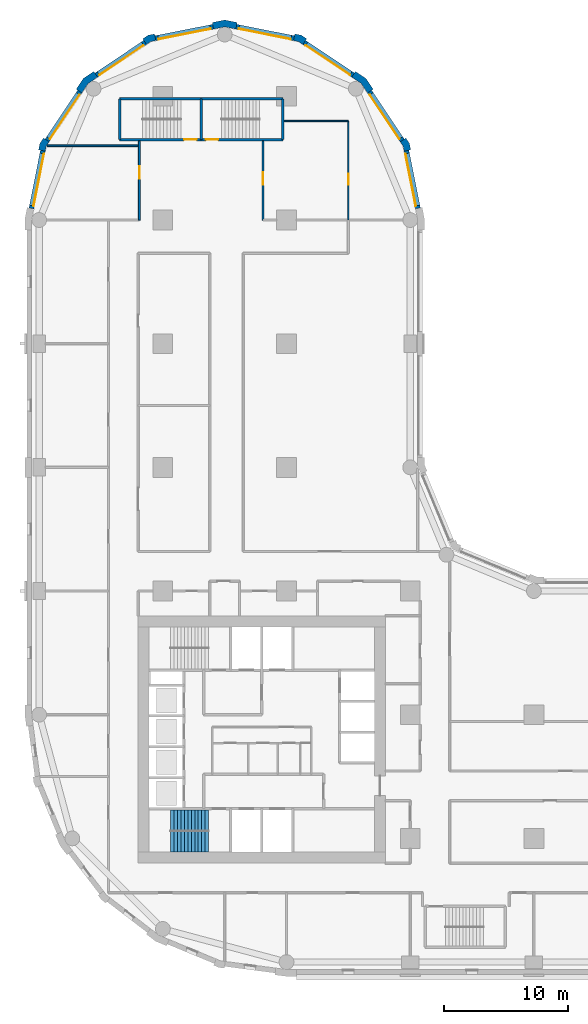
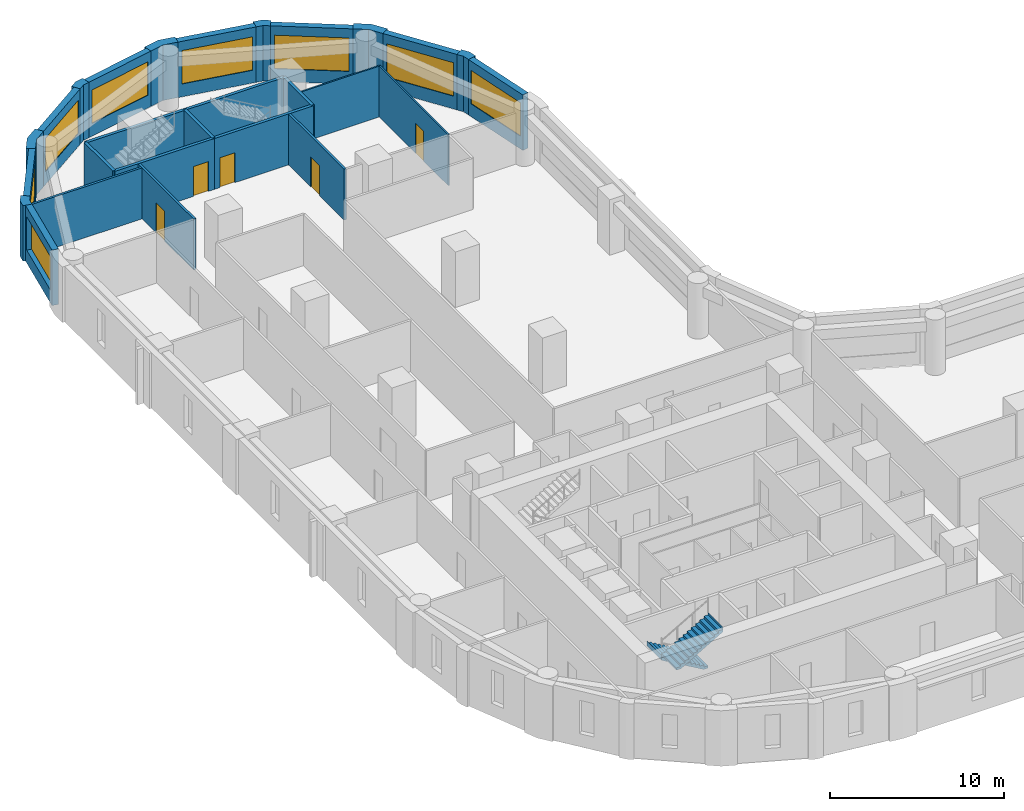
# One storey, part 8 of 11: 27 walls, 8 windows, 5 doors, 2 stair flights, 13 openings, 1 element without a shape of its own.
"""IFC4 building model written with IfcOpenShell, lengths in metres."""

from ifc_helpers import new_model, si_unit, direction, frame, frame_2d, origin, place, context, subcontext, project, spatial, polyline, rectangle, outline, extrude, material, layer, layer_set, type_object, element, fill, aggregate, save


model = new_model("IFC4")

# Units and contexts
model_context = context("Model", 3, precision=1e-05, world=origin(), true_north=direction((0.0, 1.0)))
body_context = subcontext(model_context, "Body", "Model", "MODEL_VIEW")
ifc_project = project(units=[si_unit("LENGTHUNIT", "METRE"), si_unit("AREAUNIT", "SQUARE_METRE"), si_unit("VOLUMEUNIT", "CUBIC_METRE"), si_unit("PLANEANGLEUNIT", "RADIAN"), si_unit("MASSUNIT", "GRAM", prefix="KILO")], contexts=[model_context])

# Site, building, storey
site_placement = place(None, origin())
site = spatial("IfcSite", under=ifc_project, at=site_placement, CompositionType="ELEMENT")
building_placement = place(site_placement, origin())
building = spatial("IfcBuilding", under=site, at=building_placement, Name="Qaws Garden Tower", CompositionType="ELEMENT")
storey_placement = place(building_placement, frame((0.0, 0.0, 31.5)))
storey = spatial("IfcBuildingStorey", under=building, at=storey_placement, Name="L07", CompositionType="ELEMENT", Elevation=31.5)

# Wall, opening, window
ifc_material_1 = material(Name="Clay facing brick masonry", Category="masonry")
ifc_layer_1 = layer(ifc_material_1, 0.39990234375)
ifc_layer_set_1 = layer_set([ifc_layer_1], Name="Clay facing brick masonry")
wall_type_1 = type_object("IfcWallType", Name="Brick infill wall 400", PredefinedType="SOLIDWALL", material=ifc_layer_set_1)
wall_1_placement = place(storey_placement, frame((30.628662109375, 60.940673828125, 0.0), z_axis=(0.0, 0.0, 1.0), x_axis=(-0.195098533057, 0.98078364709, 0.0)))
wall_1 = element("IfcWall", 1, at=wall_1_placement, inside=storey, type_object=wall_type_1, Name="E-L07-infill-15", PredefinedType="SOLIDWALL", context=body_context, shape_type="SweptSolid", body=[
    extrude(rectangle(XDim=4.752685546875, YDim=0.39990234375, at=frame_2d((2.37646484375, 0.0))), origin(), (0.0, 0.0, 1.0), 3.89990234375),
])
opening_1_placement = place(wall_1_placement, frame((0.226318359375, 0.0, 0.89990234375)))
opening_1 = element("IfcOpeningElement", 2, at=opening_1_placement, cuts=wall_1, Name="Opening W06", PredefinedType="OPENING", context=body_context, shape_type="SweptSolid", body=[
    extrude(rectangle(XDim=4.300048828125, YDim=2.35009765625, at=frame_2d((2.14990234375, 1.175048828125))), frame((0.0, 0.2099609375, 0.0), z_axis=(0.0, -1.0, 0.0), x_axis=(1.0, 0.0, 0.0)), (0.0, 0.0, 1.0), 0.419921875),
])
ifc_material_2 = material(Name="Aluminium framed window, clear glazing", Category="aluminium")
window_type = type_object("IfcWindowType", Name="Ribbon window 4300 x 2350", PartitioningType="DOUBLE_PANEL_VERTICAL", PredefinedType="WINDOW", material=ifc_material_2)
window_1_placement = place(opening_1_placement, origin())
window_1 = element("IfcWindow", 3, at=window_1_placement, inside=storey, type_object=window_type, Name="E-L07-window-15-0", OverallHeight=2.35009765625, OverallWidth=4.300048828125, PartitioningType="SINGLE_PANEL", PredefinedType="WINDOW", context=body_context, shape_type="SweptSolid", body=[
    extrude(rectangle(XDim=4.300048828125, YDim=2.35009765625, at=frame_2d((2.14990234375, 1.175048828125))), frame((0.0, 0.159912109375, 0.0), z_axis=(0.0, -1.0, 0.0), x_axis=(1.0, 0.0, 0.0)), (0.0, 0.0, 1.0), 0.06005859375),
])
fill(opening_1, window_1)

wall_2_placement = place(storey_placement, frame((29.356689453125, 66.43408203125, 0.0), z_axis=(0.0, 0.0, 1.0), x_axis=(-0.555541552266, 0.831488775454, 0.0)))
wall_2 = element("IfcWall", 4, at=wall_2_placement, inside=storey, type_object=wall_type_1, Name="E-L07-infill-16", PredefinedType="SOLIDWALL", context=body_context, shape_type="SweptSolid", body=[
    extrude(rectangle(XDim=4.752685546875, YDim=0.39990234375, at=frame_2d((2.37646484375, 0.0))), origin(), (0.0, 0.0, 1.0), 3.89990234375),
])
opening_2_placement = place(wall_2_placement, frame((0.226318359375, 0.0, 0.89990234375)))
opening_2 = element("IfcOpeningElement", 5, at=opening_2_placement, cuts=wall_2, Name="Opening W06", PredefinedType="OPENING", context=body_context, shape_type="SweptSolid", body=[
    extrude(rectangle(XDim=4.300048828125, YDim=2.35009765625, at=frame_2d((2.14990234375, 1.175048828125))), frame((0.0, 0.2099609375, 0.0), z_axis=(0.0, -1.0, 0.0), x_axis=(1.0, 0.0, 0.0)), (0.0, 0.0, 1.0), 0.419921875),
])
window_2_placement = place(opening_2_placement, origin())
window_2 = element("IfcWindow", 6, at=window_2_placement, inside=storey, type_object=window_type, Name="E-L07-window-16-0", OverallHeight=2.35009765625, OverallWidth=4.300048828125, PartitioningType="SINGLE_PANEL", PredefinedType="WINDOW", context=body_context, shape_type="SweptSolid", body=[
    extrude(rectangle(XDim=4.300048828125, YDim=2.35009765625, at=frame_2d((2.14990234375, 1.175048828125))), frame((0.0, 0.159912109375, 0.0), z_axis=(0.0, -1.0, 0.0), x_axis=(1.0, 0.0, 0.0)), (0.0, 0.0, 1.0), 0.06005859375),
])
fill(opening_2, window_2)

wall_3_placement = place(storey_placement, frame((25.385986328125, 71.71630859375, 0.0), z_axis=(0.0, 0.0, 1.0), x_axis=(-0.831488775454, 0.555541552266, 0.0)))
wall_3 = element("IfcWall", 7, at=wall_3_placement, inside=storey, type_object=wall_type_1, Name="E-L07-infill-17", PredefinedType="SOLIDWALL", context=body_context, shape_type="SweptSolid", body=[
    extrude(rectangle(XDim=4.752685546875, YDim=0.39990234375, at=frame_2d((2.37646484375, 0.0))), origin(), (0.0, 0.0, 1.0), 3.89990234375),
])
opening_3_placement = place(wall_3_placement, frame((0.226318359375, 0.0, 0.89990234375)))
opening_3 = element("IfcOpeningElement", 8, at=opening_3_placement, cuts=wall_3, Name="Opening W06", PredefinedType="OPENING", context=body_context, shape_type="SweptSolid", body=[
    extrude(rectangle(XDim=4.300048828125, YDim=2.35009765625, at=frame_2d((2.14990234375, 1.175048828125))), frame((0.0, 0.2099609375, 0.0), z_axis=(0.0, -1.0, 0.0), x_axis=(1.0, 0.0, 0.0)), (0.0, 0.0, 1.0), 0.419921875),
])
window_3_placement = place(opening_3_placement, origin())
window_3 = element("IfcWindow", 9, at=window_3_placement, inside=storey, type_object=window_type, Name="E-L07-window-17-0", OverallHeight=2.35009765625, OverallWidth=4.300048828125, PartitioningType="SINGLE_PANEL", PredefinedType="WINDOW", context=body_context, shape_type="SweptSolid", body=[
    extrude(rectangle(XDim=4.300048828125, YDim=2.35009765625, at=frame_2d((2.14990234375, 1.175048828125))), frame((0.0, 0.159912109375, 0.0), z_axis=(0.0, -1.0, 0.0), x_axis=(1.0, 0.0, 0.0)), (0.0, 0.0, 1.0), 0.06005859375),
])
fill(opening_3, window_3)

wall_4_placement = place(storey_placement, frame((20.60205078125, 74.701416015625, 0.0), z_axis=(0.0, 0.0, 1.0), x_axis=(-0.98078364709, 0.195098533057, 0.0)))
wall_4 = element("IfcWall", 10, at=wall_4_placement, inside=storey, type_object=wall_type_1, Name="E-L07-infill-18", PredefinedType="SOLIDWALL", context=body_context, shape_type="SweptSolid", body=[
    extrude(rectangle(XDim=4.752685546875, YDim=0.39990234375, at=frame_2d((2.37646484375, 0.0))), origin(), (0.0, 0.0, 1.0), 3.89990234375),
])
opening_4_placement = place(wall_4_placement, frame((0.226318359375, 0.0, 0.89990234375)))
opening_4 = element("IfcOpeningElement", 11, at=opening_4_placement, cuts=wall_4, Name="Opening W06", PredefinedType="OPENING", context=body_context, shape_type="SweptSolid", body=[
    extrude(rectangle(XDim=4.300048828125, YDim=2.35009765625, at=frame_2d((2.14990234375, 1.175048828125))), frame((0.0, 0.2099609375, 0.0), z_axis=(0.0, -1.0, 0.0), x_axis=(1.0, 0.0, 0.0)), (0.0, 0.0, 1.0), 0.419921875),
])
window_4_placement = place(opening_4_placement, origin())
window_4 = element("IfcWindow", 12, at=window_4_placement, inside=storey, type_object=window_type, Name="E-L07-window-18-0", OverallHeight=2.35009765625, OverallWidth=4.300048828125, PartitioningType="SINGLE_PANEL", PredefinedType="WINDOW", context=body_context, shape_type="SweptSolid", body=[
    extrude(rectangle(XDim=4.300048828125, YDim=2.35009765625, at=frame_2d((2.14990234375, 1.175048828125))), frame((0.0, 0.159912109375, 0.0), z_axis=(0.0, -1.0, 0.0), x_axis=(1.0, 0.0, 0.0)), (0.0, 0.0, 1.0), 0.06005859375),
])
fill(opening_4, window_4)

wall_5_placement = place(storey_placement, frame((14.059326171875, 75.628662109375, 0.0), z_axis=(0.0, 0.0, 1.0), x_axis=(-0.98078364709, -0.195098533057, 0.0)))
wall_5 = element("IfcWall", 13, at=wall_5_placement, inside=storey, type_object=wall_type_1, Name="E-L07-infill-19", PredefinedType="SOLIDWALL", context=body_context, shape_type="SweptSolid", body=[
    extrude(rectangle(XDim=4.752685546875, YDim=0.39990234375, at=frame_2d((2.37646484375, 0.0))), origin(), (0.0, 0.0, 1.0), 3.89990234375),
])
opening_5_placement = place(wall_5_placement, frame((0.226318359375, 0.0, 0.89990234375)))
opening_5 = element("IfcOpeningElement", 14, at=opening_5_placement, cuts=wall_5, Name="Opening W06", PredefinedType="OPENING", context=body_context, shape_type="SweptSolid", body=[
    extrude(rectangle(XDim=4.300048828125, YDim=2.35009765625, at=frame_2d((2.14990234375, 1.175048828125))), frame((0.0, 0.2099609375, 0.0), z_axis=(0.0, -1.0, 0.0), x_axis=(1.0, 0.0, 0.0)), (0.0, 0.0, 1.0), 0.419921875),
])
window_5_placement = place(opening_5_placement, origin())
window_5 = element("IfcWindow", 15, at=window_5_placement, inside=storey, type_object=window_type, Name="E-L07-window-19-0", OverallHeight=2.35009765625, OverallWidth=4.300048828125, PartitioningType="SINGLE_PANEL", PredefinedType="WINDOW", context=body_context, shape_type="SweptSolid", body=[
    extrude(rectangle(XDim=4.300048828125, YDim=2.35009765625, at=frame_2d((2.14990234375, 1.175048828125))), frame((0.0, 0.159912109375, 0.0), z_axis=(0.0, -1.0, 0.0), x_axis=(1.0, 0.0, 0.0)), (0.0, 0.0, 1.0), 0.06005859375),
])
fill(opening_5, window_5)

wall_6_placement = place(storey_placement, frame((8.56591796875, 74.356689453125, 0.0), z_axis=(0.0, 0.0, 1.0), x_axis=(-0.831488775454, -0.555541552266, 0.0)))
wall_6 = element("IfcWall", 16, at=wall_6_placement, inside=storey, type_object=wall_type_1, Name="E-L07-infill-20", PredefinedType="SOLIDWALL", context=body_context, shape_type="SweptSolid", body=[
    extrude(rectangle(XDim=4.752685546875, YDim=0.39990234375, at=frame_2d((2.37646484375, 0.0))), origin(), (0.0, 0.0, 1.0), 3.89990234375),
])
opening_6_placement = place(wall_6_placement, frame((0.226318359375, 0.0, 0.89990234375)))
opening_6 = element("IfcOpeningElement", 17, at=opening_6_placement, cuts=wall_6, Name="Opening W06", PredefinedType="OPENING", context=body_context, shape_type="SweptSolid", body=[
    extrude(rectangle(XDim=4.300048828125, YDim=2.35009765625, at=frame_2d((2.14990234375, 1.175048828125))), frame((0.0, 0.2099609375, 0.0), z_axis=(0.0, -1.0, 0.0), x_axis=(1.0, 0.0, 0.0)), (0.0, 0.0, 1.0), 0.419921875),
])
window_6_placement = place(opening_6_placement, origin())
window_6 = element("IfcWindow", 18, at=window_6_placement, inside=storey, type_object=window_type, Name="E-L07-window-20-0", OverallHeight=2.35009765625, OverallWidth=4.300048828125, PartitioningType="SINGLE_PANEL", PredefinedType="WINDOW", context=body_context, shape_type="SweptSolid", body=[
    extrude(rectangle(XDim=4.300048828125, YDim=2.35009765625, at=frame_2d((2.14990234375, 1.175048828125))), frame((0.0, 0.159912109375, 0.0), z_axis=(0.0, -1.0, 0.0), x_axis=(1.0, 0.0, 0.0)), (0.0, 0.0, 1.0), 0.06005859375),
])
fill(opening_6, window_6)

wall_7_placement = place(storey_placement, frame((3.28369140625, 70.385986328125, 0.0), z_axis=(0.0, 0.0, 1.0), x_axis=(-0.555541552266, -0.831488775454, 0.0)))
wall_7 = element("IfcWall", 19, at=wall_7_placement, inside=storey, type_object=wall_type_1, Name="E-L07-infill-21", PredefinedType="SOLIDWALL", context=body_context, shape_type="SweptSolid", body=[
    extrude(rectangle(XDim=4.752685546875, YDim=0.39990234375, at=frame_2d((2.37646484375, 0.0))), origin(), (0.0, 0.0, 1.0), 3.89990234375),
])
opening_7_placement = place(wall_7_placement, frame((0.226318359375, 0.0, 0.89990234375)))
opening_7 = element("IfcOpeningElement", 20, at=opening_7_placement, cuts=wall_7, Name="Opening W06", PredefinedType="OPENING", context=body_context, shape_type="SweptSolid", body=[
    extrude(rectangle(XDim=4.300048828125, YDim=2.35009765625, at=frame_2d((2.14990234375, 1.175048828125))), frame((0.0, 0.2099609375, 0.0), z_axis=(0.0, -1.0, 0.0), x_axis=(1.0, 0.0, 0.0)), (0.0, 0.0, 1.0), 0.419921875),
])
window_7_placement = place(opening_7_placement, origin())
window_7 = element("IfcWindow", 21, at=window_7_placement, inside=storey, type_object=window_type, Name="E-L07-window-21-0", OverallHeight=2.35009765625, OverallWidth=4.300048828125, PartitioningType="SINGLE_PANEL", PredefinedType="WINDOW", context=body_context, shape_type="SweptSolid", body=[
    extrude(rectangle(XDim=4.300048828125, YDim=2.35009765625, at=frame_2d((2.14990234375, 1.175048828125))), frame((0.0, 0.159912109375, 0.0), z_axis=(0.0, -1.0, 0.0), x_axis=(1.0, 0.0, 0.0)), (0.0, 0.0, 1.0), 0.06005859375),
])
fill(opening_7, window_7)

wall_8_placement = place(storey_placement, frame((0.298583984375, 65.60205078125, 0.0), z_axis=(0.0, 0.0, 1.0), x_axis=(-0.195098533057, -0.98078364709, 0.0)))
wall_8 = element("IfcWall", 22, at=wall_8_placement, inside=storey, type_object=wall_type_1, Name="E-L07-infill-22", PredefinedType="SOLIDWALL", context=body_context, shape_type="SweptSolid", body=[
    extrude(rectangle(XDim=4.752685546875, YDim=0.39990234375, at=frame_2d((2.37646484375, 0.0))), origin(), (0.0, 0.0, 1.0), 3.89990234375),
])
opening_8_placement = place(wall_8_placement, frame((0.226318359375, 0.0, 0.89990234375)))
opening_8 = element("IfcOpeningElement", 23, at=opening_8_placement, cuts=wall_8, Name="Opening W06", PredefinedType="OPENING", context=body_context, shape_type="SweptSolid", body=[
    extrude(rectangle(XDim=4.300048828125, YDim=2.35009765625, at=frame_2d((2.14990234375, 1.175048828125))), frame((0.0, 0.2099609375, 0.0), z_axis=(0.0, -1.0, 0.0), x_axis=(1.0, 0.0, 0.0)), (0.0, 0.0, 1.0), 0.419921875),
])
window_8_placement = place(opening_8_placement, origin())
window_8 = element("IfcWindow", 24, at=window_8_placement, inside=storey, type_object=window_type, Name="E-L07-window-22-0", OverallHeight=2.35009765625, OverallWidth=4.300048828125, PartitioningType="SINGLE_PANEL", PredefinedType="WINDOW", context=body_context, shape_type="SweptSolid", body=[
    extrude(rectangle(XDim=4.300048828125, YDim=2.35009765625, at=frame_2d((2.14990234375, 1.175048828125))), frame((0.0, 0.159912109375, 0.0), z_axis=(0.0, -1.0, 0.0), x_axis=(1.0, 0.0, 0.0)), (0.0, 0.0, 1.0), 0.06005859375),
])
fill(opening_8, window_8)

# Walls
ifc_material_3 = material(Name="Clay facing brick masonry", Category="masonry")
ifc_layer_2 = layer(ifc_material_3, 0.550048828125)
ifc_layer_set_2 = layer_set([ifc_layer_2], Name="Clay facing brick masonry")
wall_type_2 = type_object("IfcWallType", Name="Brick kink pier 550 x 600", PredefinedType="SOLIDWALL", material=ifc_layer_set_2)
placement = place(storey_placement, origin())
element("IfcWall", 25, at=placement, inside=storey, type_object=wall_type_2, Name="E-L07-pier-16", PredefinedType="SOLIDWALL", context=body_context, shape_type="SweptSolid", body=[
    extrude(outline(polyline([(29.8974609375, 65.64111328125), (30.044677734375, 65.67041015625), (29.94140625, 66.18896484375), (29.647705078125, 66.628662109375), (29.52294921875, 66.545166015625), (29.1904296875, 66.322998046875), (29.42333984375, 65.974365234375), (29.505126953125, 65.56298828125), (29.8974609375, 65.64111328125)])), origin(), (0.0, 0.0, 1.0), 3.89990234375),
])
element("IfcWall", 26, at=placement, inside=storey, type_object=wall_type_2, Name="E-L07-pier-18", PredefinedType="SOLIDWALL", context=body_context, shape_type="SweptSolid", body=[
    extrude(outline(polyline([(21.545166015625, 74.52294921875), (21.628662109375, 74.647705078125), (21.18896484375, 74.94140625), (20.67041015625, 75.044677734375), (20.64111328125, 74.8974609375), (20.56298828125, 74.505126953125), (20.974365234375, 74.42333984375), (21.322998046875, 74.1904296875), (21.545166015625, 74.52294921875)])), origin(), (0.0, 0.0, 1.0), 3.89990234375),
])
element("IfcWall", 27, at=placement, inside=storey, type_object=wall_type_2, Name="E-L07-pier-20", PredefinedType="SOLIDWALL", context=body_context, shape_type="SweptSolid", body=[
    extrude(outline(polyline([(9.35888671875, 74.8974609375), (9.32958984375, 75.044677734375), (8.81103515625, 74.94140625), (8.371337890625, 74.647705078125), (8.454833984375, 74.52294921875), (8.677001953125, 74.1904296875), (9.025634765625, 74.42333984375), (9.43701171875, 74.505126953125), (9.35888671875, 74.8974609375)])), origin(), (0.0, 0.0, 1.0), 3.89990234375),
])
element("IfcWall", 28, at=placement, inside=storey, type_object=wall_type_2, Name="E-L07-pier-22", PredefinedType="SOLIDWALL", context=body_context, shape_type="SweptSolid", body=[
    extrude(outline(polyline([(0.47705078125, 66.545166015625), (0.352294921875, 66.628662109375), (0.05859375, 66.18896484375), (-0.044677734375, 65.67041015625), (0.1025390625, 65.64111328125), (0.494873046875, 65.56298828125), (0.57666015625, 65.974365234375), (0.8095703125, 66.322998046875), (0.47705078125, 66.545166015625)])), origin(), (0.0, 0.0, 1.0), 3.89990234375),
])
ifc_material_4 = material(Name="Clay facing brick masonry", Category="masonry")
ifc_layer_3 = layer(ifc_material_4, 0.550048828125)
ifc_layer_set_3 = layer_set([ifc_layer_3], Name="Clay facing brick masonry")
wall_type_3 = type_object("IfcWallType", Name="Brick pier 550 x 1600", PredefinedType="SOLIDWALL", material=ifc_layer_set_3)
element("IfcWall", 29, at=placement, inside=storey, type_object=wall_type_3, Name="E-L07-pier-17", PredefinedType="SOLIDWALL", context=body_context, shape_type="SweptSolid", body=[
    extrude(outline(polyline([(26.882568359375, 70.4970703125), (27.00732421875, 70.580322265625), (26.435791015625, 71.435791015625), (25.580322265625, 72.00732421875), (25.4970703125, 71.882568359375), (25.274658203125, 71.550048828125), (26.0390625, 71.0390625), (26.550048828125, 70.274658203125), (26.882568359375, 70.4970703125)])), origin(), (0.0, 0.0, 1.0), 3.89990234375),
])
element("IfcWall", 30, at=placement, inside=storey, type_object=wall_type_3, Name="E-L07-pier-19", PredefinedType="SOLIDWALL", context=body_context, shape_type="SweptSolid", body=[
    extrude(outline(polyline([(15.979736328125, 75.82470703125), (16.009033203125, 75.971923828125), (15.0, 76.172607421875), (13.990966796875, 75.971923828125), (14.020263671875, 75.82470703125), (14.098388671875, 75.432373046875), (15.0, 75.61181640625), (15.901611328125, 75.432373046875), (15.979736328125, 75.82470703125)])), origin(), (0.0, 0.0, 1.0), 3.89990234375),
])
element("IfcWall", 31, at=placement, inside=storey, type_object=wall_type_3, Name="E-L07-pier-21", PredefinedType="SOLIDWALL", context=body_context, shape_type="SweptSolid", body=[
    extrude(outline(polyline([(4.5029296875, 71.882568359375), (4.419677734375, 72.00732421875), (3.564208984375, 71.435791015625), (2.99267578125, 70.580322265625), (3.117431640625, 70.4970703125), (3.449951171875, 70.274658203125), (3.9609375, 71.0390625), (4.725341796875, 71.550048828125), (4.5029296875, 71.882568359375)])), origin(), (0.0, 0.0, 1.0), 3.89990234375),
])

# Wall, opening, door
ifc_material_5 = material(Name="Concrete C80", Category="concrete")
ifc_layer_4 = layer(ifc_material_5, 0.199951171875)
ifc_layer_set_4 = layer_set([ifc_layer_4], Name="Concrete C80")
wall_type_4 = type_object("IfcWallType", Name="Core shaft wall 200 C80", PredefinedType="SHEAR", material=ifc_layer_set_4)
wall_16_placement = place(storey_placement, frame((6.5, 66.5, 0.0), z_axis=(0.0, 0.0, 1.0), x_axis=(1.0, 0.0, 0.0)))
wall_16 = element("IfcWall", 32, at=wall_16_placement, inside=storey, type_object=wall_type_4, Name="Shaft wall", PredefinedType="SHEAR", context=body_context, shape_type="SweptSolid", body=[
    extrude(rectangle(XDim=6.60009765625, YDim=0.199951171875, at=frame_2d((3.300048828125, 0.0))), origin(), (0.0, 0.0, 1.0), 3.580078125),
])
opening_9_placement = place(wall_16_placement, frame((5.22509765625, 0.0, 0.0)))
opening_9 = element("IfcOpeningElement", 33, at=opening_9_placement, cuts=wall_16, Name="Opening SD13", PredefinedType="OPENING", context=body_context, shape_type="SweptSolid", body=[
    extrude(rectangle(XDim=1.0, YDim=2.10009765625, at=frame_2d((0.5, 1.050048828125))), frame((0.0, 0.10986328125, 0.0), z_axis=(0.0, -1.0, 0.0), x_axis=(1.0, 0.0, 0.0)), (0.0, 0.0, 1.0), 0.219970703125),
])
ifc_material_6 = material(Name="Steel S235", Category="steel")
door_type_1 = type_object("IfcDoorType", Name="Stair door 1000x2100", OperationType="SINGLE_SWING_RIGHT", PredefinedType="DOOR", material=ifc_material_6)
door_1_placement = place(opening_9_placement, origin())
door_1 = element("IfcDoor", 34, at=door_1_placement, inside=storey, type_object=door_type_1, Name="Stair 6 door", OperationType="SINGLE_SWING_RIGHT", OverallHeight=2.10009765625, OverallWidth=1.0, PredefinedType="DOOR", context=body_context, shape_type="SweptSolid", body=[
    extrude(rectangle(XDim=1.0, YDim=2.10009765625, at=frame_2d((0.5, 1.050048828125))), frame((0.0, 0.02490234375, 0.0), z_axis=(0.0, -1.0, 0.0), x_axis=(1.0, 0.0, 0.0)), (0.0, 0.0, 1.0), 0.050048828125),
])
fill(opening_9, door_1)

wall_17_placement = place(storey_placement, frame((13.10009765625, 66.5, 0.0), z_axis=(0.0, 0.0, 1.0), x_axis=(1.0, 0.0, 0.0)))
wall_17 = element("IfcWall", 35, at=wall_17_placement, inside=storey, type_object=wall_type_4, Name="Shaft wall", PredefinedType="SHEAR", context=body_context, shape_type="SweptSolid", body=[
    extrude(rectangle(XDim=6.599853515625, YDim=0.199951171875, at=frame_2d((3.2998046875, 0.0))), origin(), (0.0, 0.0, 1.0), 3.580078125),
])
opening_10_placement = place(wall_17_placement, frame((0.375, 0.0, 0.0)))
opening_10 = element("IfcOpeningElement", 36, at=opening_10_placement, cuts=wall_17, Name="Opening SD14", PredefinedType="OPENING", context=body_context, shape_type="SweptSolid", body=[
    extrude(rectangle(XDim=1.0, YDim=2.10009765625, at=frame_2d((0.5, 1.050048828125))), frame((0.0, 0.10986328125, 0.0), z_axis=(0.0, -1.0, 0.0), x_axis=(1.0, 0.0, 0.0)), (0.0, 0.0, 1.0), 0.219970703125),
])
door_2_placement = place(opening_10_placement, origin())
door_2 = element("IfcDoor", 37, at=door_2_placement, inside=storey, type_object=door_type_1, Name="Stair 7 door", OperationType="SINGLE_SWING_LEFT", OverallHeight=2.10009765625, OverallWidth=1.0, PredefinedType="DOOR", context=body_context, shape_type="SweptSolid", body=[
    extrude(rectangle(XDim=1.0, YDim=2.10009765625, at=frame_2d((0.5, 1.050048828125))), frame((0.0, 0.02490234375, 0.0), z_axis=(0.0, -1.0, 0.0), x_axis=(1.0, 0.0, 0.0)), (0.0, 0.0, 1.0), 0.050048828125),
])
fill(opening_10, door_2)

# Walls
wall_18_placement = place(storey_placement, frame((6.5, 69.800048828125, 0.0), z_axis=(0.0, 0.0, 1.0), x_axis=(1.0, 0.0, 0.0)))
element("IfcWall", 38, at=wall_18_placement, inside=storey, type_object=wall_type_4, Name="Shaft wall", PredefinedType="SHEAR", context=body_context, shape_type="SweptSolid", body=[
    extrude(rectangle(XDim=6.60009765625, YDim=0.199951171875, at=frame_2d((3.300048828125, 0.0))), origin(), (0.0, 0.0, 1.0), 3.580078125),
])
wall_19_placement = place(storey_placement, frame((13.10009765625, 69.800048828125, 0.0), z_axis=(0.0, 0.0, 1.0), x_axis=(1.0, 0.0, 0.0)))
element("IfcWall", 39, at=wall_19_placement, inside=storey, type_object=wall_type_4, Name="Shaft wall", PredefinedType="SHEAR", context=body_context, shape_type="SweptSolid", body=[
    extrude(rectangle(XDim=6.599853515625, YDim=0.199951171875, at=frame_2d((3.2998046875, 0.0))), origin(), (0.0, 0.0, 1.0), 3.580078125),
])
for number, where, z_axis, x_axis, name in (
    (40, (6.5, 66.5, 0.0), (0.0, 0.0, 1.0), (0.0, 1.0, 0.0), "Shaft wall"),
    (41, (13.10009765625, 66.5, 0.0), (0.0, 0.0, 1.0), (0.0, 1.0, 0.0), "Shaft wall"),
    (42, (19.699951171875, 66.5, 0.0), (0.0, 0.0, 1.0), (0.0, 1.0, 0.0), "Shaft wall"),
):
    element("IfcWall", number, at=place(storey_placement, frame(where, z_axis=z_axis, x_axis=x_axis)), inside=storey, type_object=wall_type_4, Name=name, PredefinedType="SHEAR", context=body_context, shape_type="SweptSolid", body=[
        extrude(rectangle(XDim=3.300048828125, YDim=0.199951171875, at=frame_2d((1.64990234375, 0.0))), origin(), (0.0, 0.0, 1.0), 3.580078125),
    ])

# Wall, opening, door
ifc_material_7 = material(Name="Gypsum board partition")
ifc_layer_5 = layer(ifc_material_7, 0.10009765625)
ifc_layer_set_5 = layer_set([ifc_layer_5], Name="Gypsum board partition")
wall_type_5 = type_object("IfcWallType", Name="PARTITION 100", PredefinedType="PARTITIONING", material=ifc_layer_set_5)
wall_20_placement = place(storey_placement, frame((25.0, 60.0, 0.0), z_axis=(0.0, 0.0, 1.0), x_axis=(0.0, 1.0, 0.0)))
wall_20 = element("IfcWall", 43, at=wall_20_placement, inside=storey, type_object=wall_type_5, Name="O-L07-wall-001", PredefinedType="PARTITIONING", context=body_context, shape_type="SweptSolid", body=[
    extrude(rectangle(XDim=8.0, YDim=0.10009765625, at=frame_2d((4.0, 0.0))), origin(), (0.0, 0.0, 1.0), 3.580078125),
])
opening_11_placement = place(wall_20_placement, frame((2.85009765625, 0.0, 0.0)))
opening_11 = element("IfcOpeningElement", 44, at=opening_11_placement, cuts=wall_20, Name="Opening A231", PredefinedType="OPENING", context=body_context, shape_type="SweptSolid", body=[
    extrude(rectangle(XDim=0.89990234375, YDim=2.10009765625, at=frame_2d((0.449951171875, 1.050048828125))), frame((0.0, 0.06005859375, 0.0), z_axis=(0.0, -1.0, 0.0), x_axis=(1.0, 0.0, 0.0)), (0.0, 0.0, 1.0), 0.1201171875),
])
ifc_material_8 = material(Name="Timber door leaf", Category="wood")
door_type_2 = type_object("IfcDoorType", Name="OFFICE DOOR 900 X 2100", OperationType="SINGLE_SWING_LEFT", PredefinedType="DOOR", material=ifc_material_8)
door_3_placement = place(opening_11_placement, origin())
door_3 = element("IfcDoor", 45, at=door_3_placement, inside=storey, type_object=door_type_2, Name="O-L07-door-031", OperationType="SINGLE_SWING_LEFT", OverallHeight=2.10009765625, OverallWidth=0.89990234375, PredefinedType="DOOR", context=body_context, shape_type="SweptSolid", body=[
    extrude(rectangle(XDim=0.89990234375, YDim=2.10009765625, at=frame_2d((0.449951171875, 1.050048828125))), frame((0.0, 0.02490234375, 0.0), z_axis=(0.0, -1.0, 0.0), x_axis=(1.0, 0.0, 0.0)), (0.0, 0.0, 1.0), 0.050048828125),
])
fill(opening_11, door_3)

# Wall
wall_21_placement = place(storey_placement, frame((19.800048828125, 68.0, 0.0), z_axis=(0.0, 0.0, 1.0), x_axis=(1.0, 0.0, 0.0)))
element("IfcWall", 46, at=wall_21_placement, inside=storey, type_object=wall_type_5, Name="O-L07-wall-004", PredefinedType="PARTITIONING", context=body_context, shape_type="SweptSolid", body=[
    extrude(rectangle(XDim=5.199951171875, YDim=0.10009765625, at=frame_2d((2.60009765625, 0.0))), origin(), (0.0, 0.0, 1.0), 3.580078125),
])

# Wall, opening, door
ifc_material_9 = material(Name="Gypsum board partition")
ifc_layer_6 = layer(ifc_material_9, 0.14990234375)
ifc_layer_set_6 = layer_set([ifc_layer_6], Name="Gypsum board partition")
wall_type_6 = type_object("IfcWallType", Name="PARTITION 150 EI 60", PredefinedType="PARTITIONING", material=ifc_layer_set_6)
wall_22_placement = place(storey_placement, frame((8.10009765625, 60.0, 0.0), z_axis=(0.0, 0.0, 1.0), x_axis=(0.0, 1.0, 0.0)))
wall_22 = element("IfcWall", 47, at=wall_22_placement, inside=storey, type_object=wall_type_6, Name="O-L07-wall-008", PredefinedType="PARTITIONING", context=body_context, shape_type="SweptSolid", body=[
    extrude(rectangle(XDim=6.39990234375, YDim=0.14990234375, at=frame_2d((3.199951171875, 0.0))), origin(), (0.0, 0.0, 1.0), 3.580078125),
])
opening_12_placement = place(wall_22_placement, frame((3.35009765625, 0.0, 0.0)))
opening_12 = element("IfcOpeningElement", 48, at=opening_12_placement, cuts=wall_22, Name="Opening A220", PredefinedType="OPENING", context=body_context, shape_type="SweptSolid", body=[
    extrude(rectangle(XDim=1.0, YDim=2.10009765625, at=frame_2d((0.5, 1.050048828125))), frame((0.0, 0.0849609375, 0.0), z_axis=(0.0, -1.0, 0.0), x_axis=(1.0, 0.0, 0.0)), (0.0, 0.0, 1.0), 0.169921875),
])
ifc_material_10 = material(Name="Timber door leaf", Category="wood")
door_type_3 = type_object("IfcDoorType", Name="TENANCY ENTRANCE DOOR 1000 X 2100", OperationType="SINGLE_SWING_LEFT", PredefinedType="DOOR", material=ifc_material_10)
door_4_placement = place(opening_12_placement, origin())
door_4 = element("IfcDoor", 49, at=door_4_placement, inside=storey, type_object=door_type_3, Name="O-L07-door-020", OperationType="SINGLE_SWING_LEFT", OverallHeight=2.10009765625, OverallWidth=1.0, PredefinedType="DOOR", context=body_context, shape_type="SweptSolid", body=[
    extrude(rectangle(XDim=1.0, YDim=2.10009765625, at=frame_2d((0.5, 1.050048828125))), frame((0.0, 0.02490234375, 0.0), z_axis=(0.0, -1.0, 0.0), x_axis=(1.0, 0.0, 0.0)), (0.0, 0.0, 1.0), 0.050048828125),
])
fill(opening_12, door_4)

wall_23_placement = place(storey_placement, frame((18.10009765625, 60.0, 0.0), z_axis=(0.0, 0.0, 1.0), x_axis=(0.0, 1.0, 0.0)))
wall_23 = element("IfcWall", 50, at=wall_23_placement, inside=storey, type_object=wall_type_6, Name="O-L07-wall-014", PredefinedType="PARTITIONING", context=body_context, shape_type="SweptSolid", body=[
    extrude(rectangle(XDim=6.39990234375, YDim=0.14990234375, at=frame_2d((3.199951171875, 0.0))), origin(), (0.0, 0.0, 1.0), 3.580078125),
])
opening_13_placement = place(wall_23_placement, frame((2.85009765625, 0.0, 0.0)))
opening_13 = element("IfcOpeningElement", 51, at=opening_13_placement, cuts=wall_23, Name="Opening A221", PredefinedType="OPENING", context=body_context, shape_type="SweptSolid", body=[
    extrude(rectangle(XDim=1.0, YDim=2.10009765625, at=frame_2d((0.5, 1.050048828125))), frame((0.0, 0.0849609375, 0.0), z_axis=(0.0, -1.0, 0.0), x_axis=(1.0, 0.0, 0.0)), (0.0, 0.0, 1.0), 0.169921875),
])
door_5_placement = place(opening_13_placement, frame((1.0, 0.0, 0.0), z_axis=(0.0, 0.0, 1.0), x_axis=(-1.0, 0.0, 0.0)))
door_5 = element("IfcDoor", 52, at=door_5_placement, inside=storey, type_object=door_type_3, Name="O-L07-door-021", OperationType="SINGLE_SWING_RIGHT", OverallHeight=2.10009765625, OverallWidth=1.0, PredefinedType="DOOR", context=body_context, shape_type="SweptSolid", body=[
    extrude(rectangle(XDim=1.0, YDim=2.10009765625, at=frame_2d((0.5, 1.050048828125))), frame((0.0, 0.02490234375, 0.0), z_axis=(0.0, -1.0, 0.0), x_axis=(1.0, 0.0, 0.0)), (0.0, 0.0, 1.0), 0.050048828125),
])
fill(opening_13, door_5)

# Wall
wall_24_placement = place(storey_placement, frame((0.643798828125, 66.0, 0.0), z_axis=(0.0, 0.0, 1.0), x_axis=(1.0, 0.0, 0.0)))
element("IfcWall", 53, at=wall_24_placement, inside=storey, type_object=wall_type_6, Name="O-L07-wall-068", PredefinedType="PARTITIONING", context=body_context, shape_type="SweptSolid", body=[
    extrude(rectangle(XDim=7.456298828125, YDim=0.14990234375, at=frame_2d((3.72802734375, 0.0))), origin(), (0.0, 0.0, 1.0), 3.580078125),
])

# Stair, stair flights
ifc_material_11 = material(Name="Concrete C40", Category="concrete")
stair_type = type_object("IfcStairType", Name="Exit stair 1500", PredefinedType="HALF_TURN_STAIR", material=ifc_material_11)
stair = element("IfcStair", 54, at=placement, inside=storey, type_object=stair_type, Name="Stair 1", PredefinedType="HALF_TURN_STAIR")
ifc_material_12 = material(Name="Concrete C40", Category="concrete")
stair_flight_type = type_object("IfcStairFlightType", Name="Stair flight 1500", PredefinedType="STRAIGHT", material=ifc_material_12)
stair_flight_1_placement = place(storey_placement, frame((13.699951171875, 11.449951171875, 0.0), z_axis=(0.0, 0.0, 1.0), x_axis=(-1.0, 0.0, 0.0)))
stair_flight_1 = element("IfcStairFlight", 55, at=stair_flight_1_placement, type_object=stair_flight_type, Name="ST1 flight 1", NumberOfRisers=12, NumberOfTreads=11, PredefinedType="STRAIGHT", RiserHeight=0.1625, TreadLength=0.28, context=body_context, shape_type="SweptSolid", body=[
    extrude(outline(polyline([(-0.0029296875, 0.0), (-0.0029296875, 0.16259765625), (0.0, 0.16259765625), (0.280029296875, 0.16259765625), (0.280029296875, 0.324951171875), (0.56005859375, 0.324951171875), (0.56005859375, 0.487548828125), (0.840087890625, 0.487548828125), (0.840087890625, 0.64990234375), (1.1201171875, 0.64990234375), (1.1201171875, 0.8125), (1.39990234375, 0.8125), (1.39990234375, 0.97509765625), (1.679931640625, 0.97509765625), (1.679931640625, 1.137451171875), (1.9599609375, 1.137451171875), (1.9599609375, 1.300048828125), (2.239990234375, 1.300048828125), (2.239990234375, 1.46240234375), (2.52001953125, 1.46240234375), (2.52001953125, 1.625), (2.800048828125, 1.625), (2.800048828125, 1.78759765625), (3.080078125, 1.78759765625), (3.080078125, 1.949951171875), (3.0830078125, 1.949951171875), (3.0830078125, 1.6142578125), (3.080078125, 1.6142578125), (0.298583984375, 0.0), (-0.0029296875, 0.0)])), frame((0.0, 0.85009765625, 0.0), z_axis=(0.0, -1.0, 0.0), x_axis=(1.0, 0.0, 0.0)), (0.0, 0.0, 1.0), 1.699951171875),
])
stair_flight_2_placement = place(storey_placement, frame((10.6201171875, 9.75, 1.949951171875), z_axis=(0.0, 0.0, 1.0), x_axis=(1.0, 0.0, 0.0)))
stair_flight_2 = element("IfcStairFlight", 56, at=stair_flight_2_placement, type_object=stair_flight_type, Name="ST1 flight 2", NumberOfRisers=12, NumberOfTreads=11, PredefinedType="STRAIGHT", RiserHeight=0.1625, TreadLength=0.28, context=body_context, shape_type="SweptSolid", body=[
    extrude(outline(polyline([(-0.0029296875, 0.0), (-0.0029296875, 0.16259765625), (0.0, 0.16259765625), (0.280029296875, 0.16259765625), (0.280029296875, 0.324951171875), (0.56005859375, 0.324951171875), (0.56005859375, 0.487548828125), (0.840087890625, 0.487548828125), (0.840087890625, 0.64990234375), (1.1201171875, 0.64990234375), (1.1201171875, 0.8125), (1.39990234375, 0.8125), (1.39990234375, 0.97509765625), (1.679931640625, 0.97509765625), (1.679931640625, 1.137451171875), (1.9599609375, 1.137451171875), (1.9599609375, 1.300048828125), (2.239990234375, 1.300048828125), (2.239990234375, 1.46240234375), (2.52001953125, 1.46240234375), (2.52001953125, 1.625), (2.800048828125, 1.625), (2.800048828125, 1.78759765625), (3.080078125, 1.78759765625), (3.080078125, 1.949951171875), (3.0830078125, 1.949951171875), (3.0830078125, 1.6142578125), (3.080078125, 1.6142578125), (0.298583984375, 0.0), (-0.0029296875, 0.0)])), frame((0.0, 0.85009765625, 0.0), z_axis=(0.0, -1.0, 0.0), x_axis=(1.0, 0.0, 0.0)), (0.0, 0.0, 1.0), 1.699951171875),
])
aggregate(stair, [stair_flight_1, stair_flight_2])

save(model, "model.ifc")
